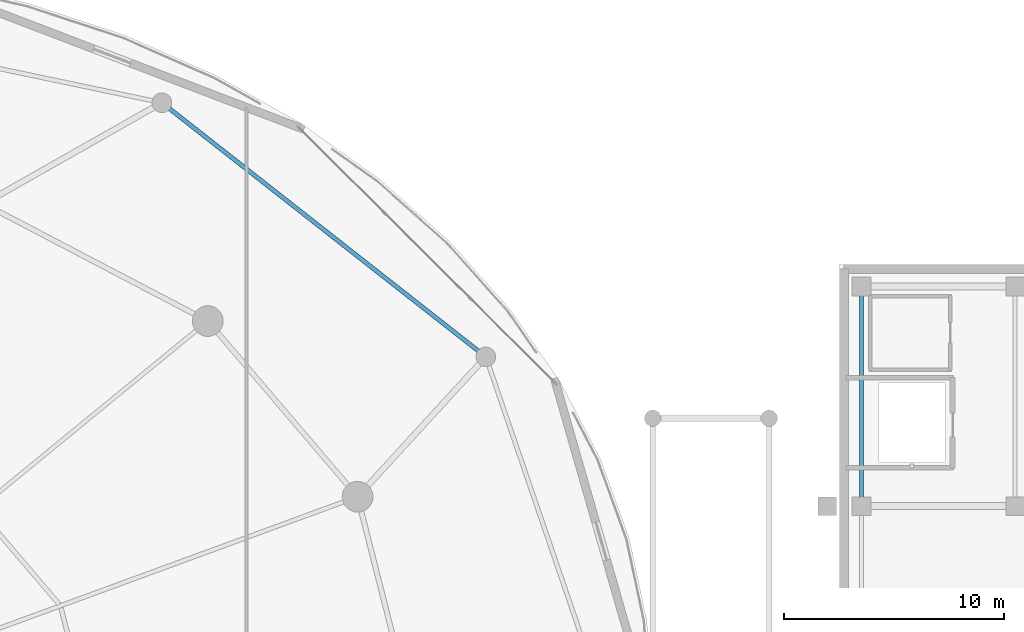
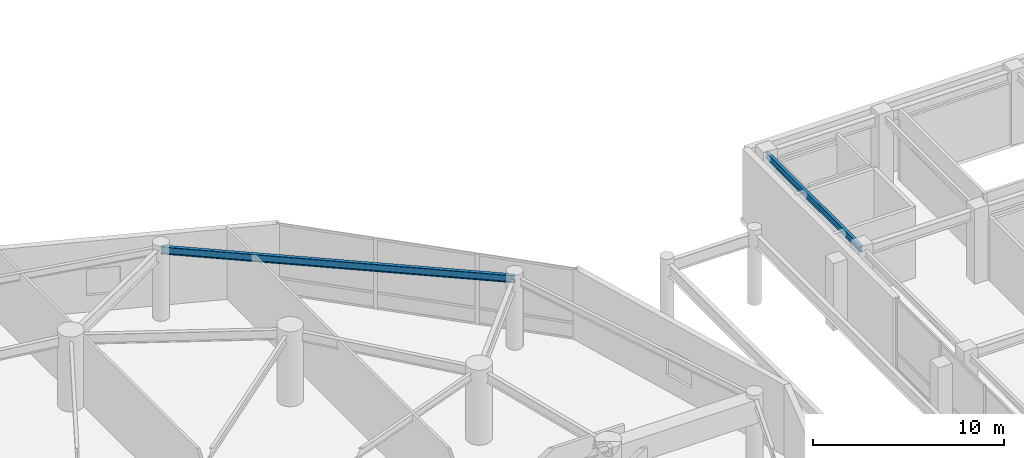
# One storey, part 19 of 36: 2 beams.
"""IFC4 building model written with IfcOpenShell, lengths in metres."""

from ifc_helpers import new_model, si_unit, direction, frame, origin, origin_2d, place, context, subcontext, project, spatial, i_section, extrude, material, material_profile, profile_set, type_object, element, save


model = new_model("IFC4")

# Units and contexts
model_context = context("Model", 3, precision=1e-05, world=origin(), true_north=direction((0.0, 1.0)))
body_context = subcontext(model_context, "Body", "Model", "MODEL_VIEW")
ifc_project = project(units=[si_unit("LENGTHUNIT", "METRE"), si_unit("AREAUNIT", "SQUARE_METRE"), si_unit("VOLUMEUNIT", "CUBIC_METRE"), si_unit("PLANEANGLEUNIT", "RADIAN"), si_unit("MASSUNIT", "GRAM", prefix="KILO")], contexts=[model_context])

# Site, building, storey
site_placement = place(None, origin())
site = spatial("IfcSite", under=ifc_project, at=site_placement, CompositionType="ELEMENT")
building_placement = place(site_placement, origin())
building = spatial("IfcBuilding", under=site, at=building_placement, Name="Kazevale Care Tower and Concert Hall", CompositionType="ELEMENT")
storey_placement = place(building_placement, frame((0.0, 0.0, 14.39990234375)))
storey = spatial("IfcBuildingStorey", under=building, at=storey_placement, Name="L03", CompositionType="ELEMENT", Elevation=14.39990234375)

# Beams
ifc_material = material(Name="Steel ASTM A572 Gr 50", Category="steel")
ifc_material_profile_1 = material_profile(ifc_material, i_section(OverallWidth=0.180908203125, OverallDepth=0.4169921875, WebThickness=0.010986328125, FlangeThickness=0.018310546875, at=origin_2d()), Name="W410x85")
ifc_profile_set_1 = profile_set([ifc_material_profile_1], Name="Steel ASTM A572 Gr 50")
beam_type_1 = type_object("IfcBeamType", Name="Concert Hall Secondary Beam W410x85", PredefinedType="BEAM", material=ifc_profile_set_1)
beam_1_placement = place(storey_placement, frame((97.0, 47.0, 4.3115234375), z_axis=(0.0, 1.0, 0.0), x_axis=(-1.0, 0.0, 0.0)))
element("IfcBeam", 1, at=beam_1_placement, inside=storey, type_object=beam_type_1, Name="beam:L03:hy:97_47", PredefinedType="BEAM", context=body_context, shape_type="SweptSolid", body=[
    extrude(i_section(OverallWidth=0.180908203125, OverallDepth=0.4169921875, WebThickness=0.010986328125, FlangeThickness=0.018310546875, at=origin_2d()), origin(), (0.0, 0.0, 1.0), 10.0),
])
ifc_material_profile_2 = material_profile(ifc_material, i_section(OverallWidth=0.194091796875, OverallDepth=0.468994140625, WebThickness=0.0126953125, FlangeThickness=0.0205078125, at=origin_2d()), Name="W460x106")
ifc_profile_set_2 = profile_set([ifc_material_profile_2], Name="Steel ASTM A572 Gr 50")
beam_type_2 = type_object("IfcBeamType", Name="Podium Floor Beam W460x106", PredefinedType="BEAM", material=ifc_profile_set_2)
beam_2_placement = place(storey_placement, frame((79.89990234375, 53.800048828125, 4.28564453125), z_axis=(-0.786816091325, 0.617187522907, 0.0), x_axis=(-0.617187522907, -0.786816091325, 0.0)))
element("IfcBeam", 2, at=beam_2_placement, inside=storey, type_object=beam_type_2, Name="beam:L03:podring:02", PredefinedType="BEAM", context=body_context, shape_type="SweptSolid", body=[
    extrude(i_section(OverallWidth=0.194091796875, OverallDepth=0.468994140625, WebThickness=0.0126953125, FlangeThickness=0.0205078125, at=origin_2d()), origin(), (0.0, 0.0, 1.0), 18.746337890625),
])

save(model, "model.ifc")
